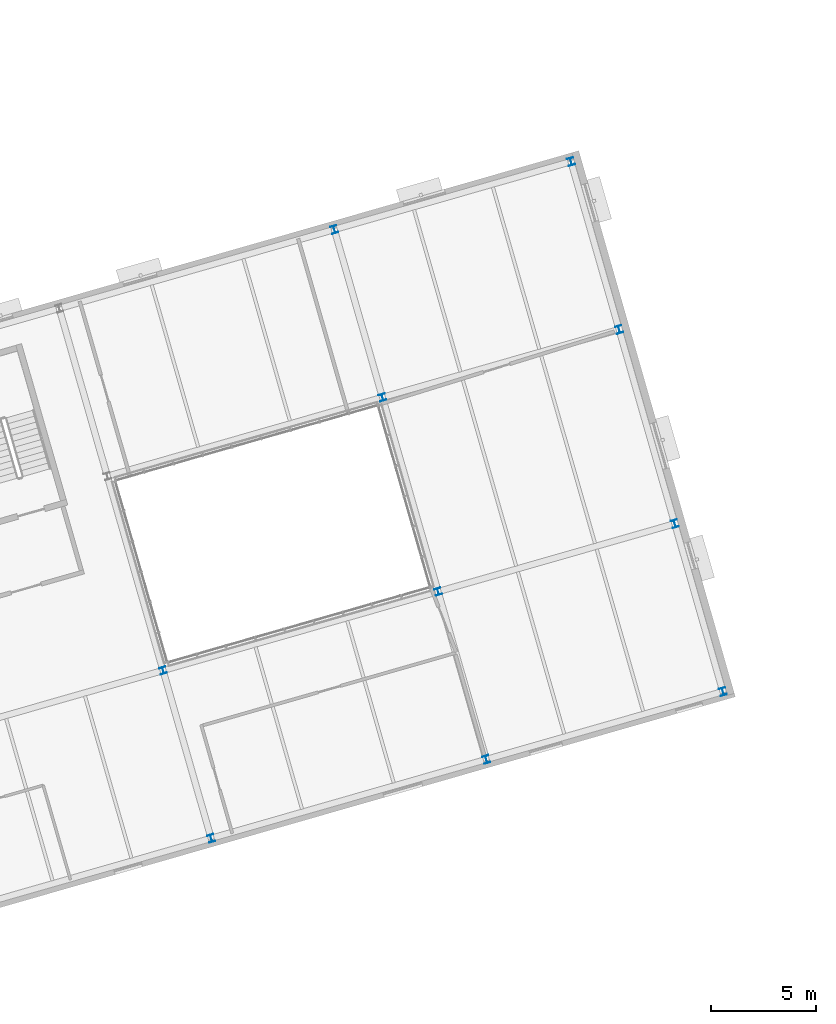
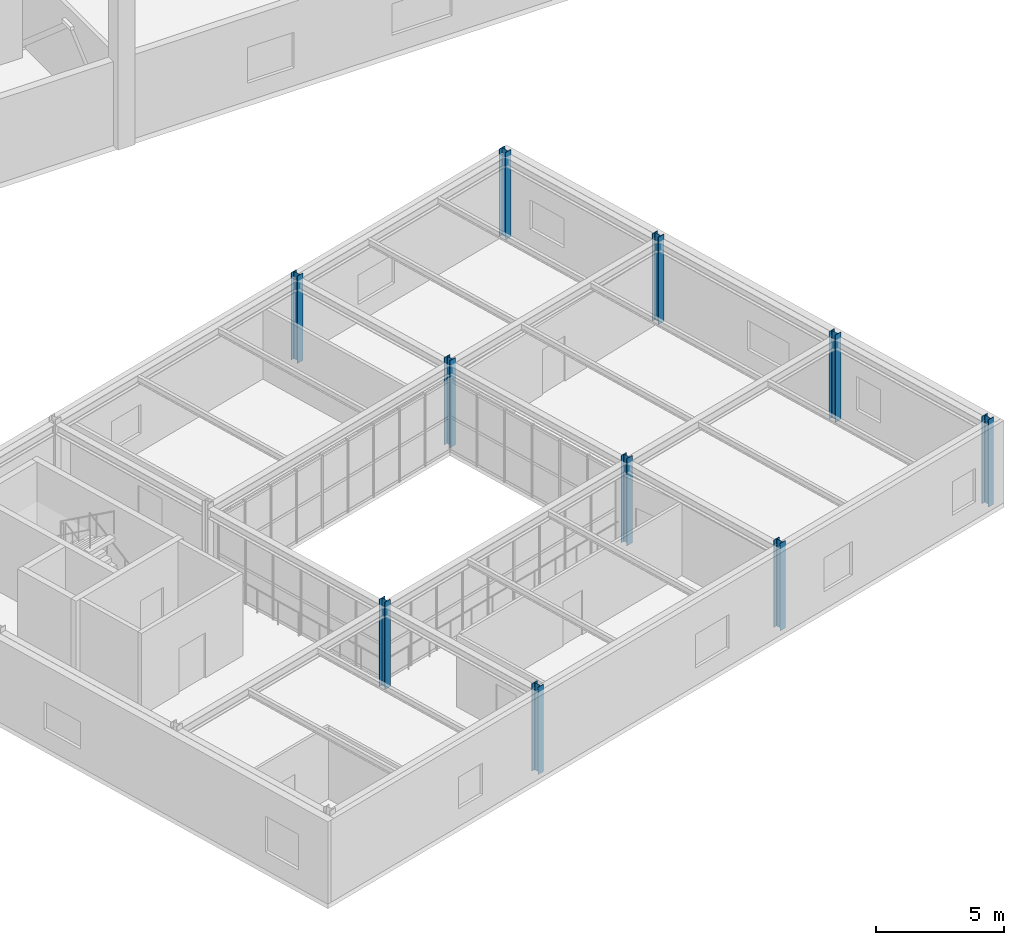
# One storey, part 13 of 59: 10 columns.
"""IFC4 building model written with IfcOpenShell, lengths in metres."""

from ifc_helpers import new_model, si_unit, direction, frame, origin, origin_2d, place, context, subcontext, project, spatial, i_section, extrude, material, material_profile, profile_set, type_object, element, save


model = new_model("IFC4")

# Units and contexts
model_context = context("Model", 3, precision=1e-05, world=origin(), true_north=direction((0.0, 1.0)))
body_context = subcontext(model_context, "Body", "Model", "MODEL_VIEW")
ifc_project = project(units=[si_unit("LENGTHUNIT", "METRE"), si_unit("AREAUNIT", "SQUARE_METRE"), si_unit("VOLUMEUNIT", "CUBIC_METRE"), si_unit("PLANEANGLEUNIT", "RADIAN"), si_unit("MASSUNIT", "GRAM", prefix="KILO")], contexts=[model_context])

# Site, building, storey
site_placement = place(None, origin())
site = spatial("IfcSite", under=ifc_project, at=site_placement, CompositionType="ELEMENT")
building_placement = place(site_placement, origin())
building = spatial("IfcBuilding", under=site, at=building_placement, Name="Varnklinge Art Gallery", CompositionType="ELEMENT")
storey_placement = place(building_placement, frame((0.0, 0.0, 9.52001953125)))
storey = spatial("IfcBuildingStorey", under=building, at=storey_placement, Name="L02", CompositionType="ELEMENT", Elevation=9.52001953125)

# Columns
ifc_material_1 = material(Name="Steel S355", Category="steel")
ifc_material_profile_1 = material_profile(ifc_material_1, i_section(OverallWidth=0.300048828125, OverallDepth=0.320068359375, WebThickness=0.011474609375, FlangeThickness=0.0205078125, FilletRadius=0.027099609375, at=origin_2d()), Name="HEB 320")
ifc_profile_set_1 = profile_set([ifc_material_profile_1], Name="Steel S355")
column_type_1 = type_object("IfcColumnType", Name="COL-09", PredefinedType="COLUMN", material=ifc_profile_set_1)
for number, where, z_axis, x_axis, name in (
    (1, (133.78662109375, 21.01171875, 0.0), (0.0, 0.0, 1.0), (0.961261695938, 0.275637355817, 0.0), "L02 Column V6C-2-2"),
    (2, (146.859619140625, 24.76025390625, 0.0), (0.0, 0.0, 1.0), (0.961261695938, 0.275637355817, 0.0), "L02 Column V6C-3-2"),
    (3, (144.21337890625, 33.98828125, 0.0), (0.0, 0.0, 1.0), (0.961261695938, 0.275637355817, 0.0), "L02 Column V6C-3-3"),
):
    element("IfcColumn", number, at=place(storey_placement, frame(where, z_axis=z_axis, x_axis=x_axis)), inside=storey, type_object=column_type_1, Name=name, PredefinedType="COLUMN", context=body_context, shape_type="SweptSolid", body=[
        extrude(i_section(OverallWidth=0.300048828125, OverallDepth=0.320068359375, WebThickness=0.011474609375, FlangeThickness=0.0205078125, FilletRadius=0.027099609375, at=origin_2d()), origin(), (0.0, 0.0, 1.0), 4.159912109375),
    ])
ifc_material_2 = material(Name="Steel S355", Category="steel")
ifc_material_profile_2 = material_profile(ifc_material_2, i_section(OverallWidth=0.300048828125, OverallDepth=0.360107421875, WebThickness=0.012451171875, FlangeThickness=0.0224609375, FilletRadius=0.027099609375, at=origin_2d()), Name="HEB 360")
ifc_profile_set_2 = profile_set([ifc_material_profile_2], Name="Steel S355")
column_type_2 = type_object("IfcColumnType", Name="COL-E4", PredefinedType="COLUMN", material=ifc_profile_set_2)
for number, where, z_axis, x_axis, name in (
    (4, (136.07421875, 13.033203125, 0.0), (0.0, 0.0, 1.0), (0.961261695938, 0.275637355817, 0.0), "L02 Column V6C-2-1"),
    (5, (149.1474609375, 16.78173828125, 0.0), (0.0, 0.0, 1.0), (0.961261695938, 0.275637355817, 0.0), "L02 Column V6C-3-1"),
    (6, (141.92578125, 41.966796875, 0.0), (0.0, 0.0, 1.0), (0.961261695938, 0.275637355817, 0.0), "L02 Column V6C-3-4"),
    (7, (160.394287109375, 20.0068359375, 0.0), (0.0, 0.0, 1.0), (0.961261695938, 0.275637355817, 0.0), "L02 Column V6C-4-1"),
    (8, (158.1064453125, 27.985107421875, 0.0), (0.0, 0.0, 1.0), (0.961261695938, 0.275637355817, 0.0), "L02 Column V6C-4-2"),
    (9, (155.460205078125, 37.21337890625, 0.0), (0.0, 0.0, 1.0), (0.961261695938, 0.275637355817, 0.0), "L02 Column V6C-4-3"),
    (10, (153.172607421875, 45.19189453125, 0.0), (0.0, 0.0, 1.0), (0.961261695938, 0.275637355817, 0.0), "L02 Column V6C-4-4"),
):
    element("IfcColumn", number, at=place(storey_placement, frame(where, z_axis=z_axis, x_axis=x_axis)), inside=storey, type_object=column_type_2, Name=name, PredefinedType="COLUMN", context=body_context, shape_type="SweptSolid", body=[
        extrude(i_section(OverallWidth=0.300048828125, OverallDepth=0.360107421875, WebThickness=0.012451171875, FlangeThickness=0.0224609375, FilletRadius=0.027099609375, at=origin_2d()), origin(), (0.0, 0.0, 1.0), 4.159912109375),
    ])

save(model, "model.ifc")
